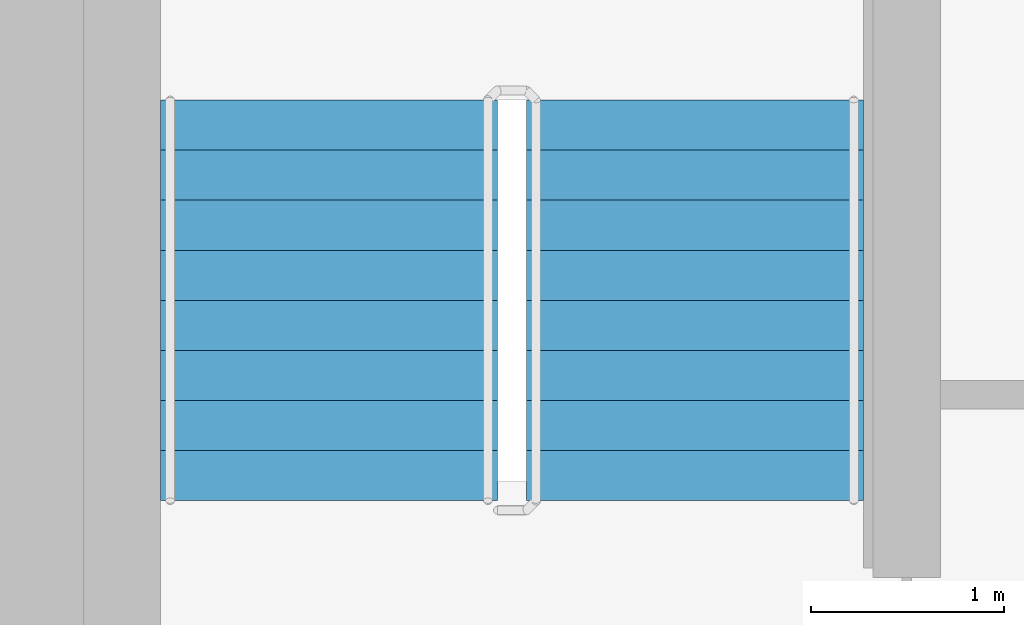
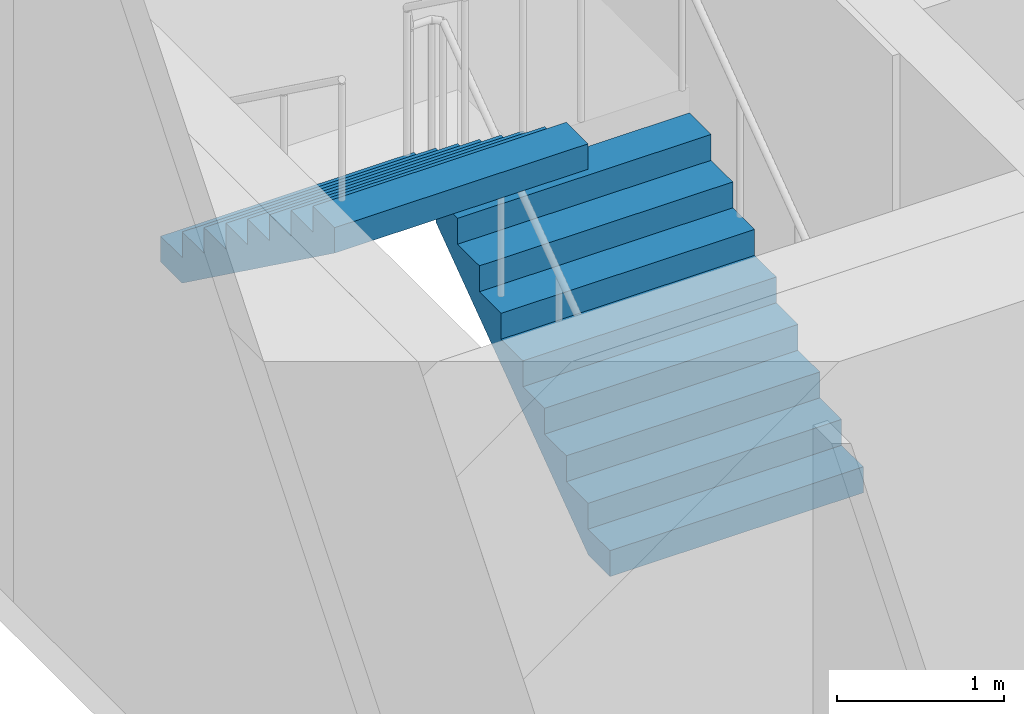
# One storey, part 15 of 18: 2 stair flights, 1 element without a shape of its own.
"""IFC4 building model written with IfcOpenShell, lengths in metres."""

import ifcopenshell
import ifcopenshell.guid

model = None  # the IFC model being written
_history = None  # IfcOwnerHistory: only IFC2X3 demands one
_inside = {}  # id of a spatial element -> (the spatial element, [elements in it])
_under = {}  # id of a project, library or spatial element -> (it, [spatial elements below it])
_declared = {}  # id of a project -> (the project, [libraries it declares])
_typed = {}  # id of a type object -> (the type object, [elements of that type])
_made_of = {}  # id of a material, layer set ... -> (it, [elements and type objects made of it])


def new_model(schema):
    """Start an empty IFC model of exactly this schema.

    Asked for "IFC4X3", IfcOpenShell would pick the latest addendum, in which some entities
    have other attributes; the version numbers below select the first issue.
    IFC2X3 requires an IfcOwnerHistory on every rooted entity: one is made here for all.
    """
    global model, _history
    if schema == "IFC4X3":
        model = ifcopenshell.file(schema_version=(4, 3, 0, 0))
    else:
        model = ifcopenshell.file(schema=schema)
    _inside.clear()
    _under.clear()
    _declared.clear()
    _typed.clear()
    _made_of.clear()
    _history = None
    if model.schema == "IFC2X3":
        org = make("IfcOrganization", Name="unknown")
        user = make(
            "IfcPersonAndOrganization",
            ThePerson=make("IfcPerson", FamilyName="unknown"),
            TheOrganization=org,
        )
        app = make(
            "IfcApplication",
            ApplicationDeveloper=org,
            Version="unknown",
            ApplicationFullName="unknown",
            ApplicationIdentifier="unknown",
        )
        _history = make(
            "IfcOwnerHistory",
            OwningUser=user,
            OwningApplication=app,
            ChangeAction="ADDED",
            CreationDate=0,
        )
    return model


def make(cls, **values):
    """One entity of the class cls with the attributes given. An attribute that is None is left unset."""
    return model.create_entity(
        cls, **{name: value for name, value in values.items() if value is not None}
    )


def rooted(cls, **values):
    """An entity with a GlobalId (a new one), such as an element, a storey or a relation."""
    return make(cls, GlobalId=ifcopenshell.guid.new(), OwnerHistory=_history, **values)


def si_unit(unit_type, name, prefix=None):
    """IfcSIUnit, for example si_unit("LENGTHUNIT", "METRE", prefix="MILLI")."""
    return make("IfcSIUnit", UnitType=unit_type, Prefix=prefix, Name=name)


def assignment(units):
    """IfcUnitAssignment: the units of a project."""
    return None if units is None else make("IfcUnitAssignment", Units=units)


def point(xyz):
    """IfcCartesianPoint."""
    return None if xyz is None else make("IfcCartesianPoint", Coordinates=xyz)


def direction(xyz):
    """IfcDirection."""
    return None if xyz is None else make("IfcDirection", DirectionRatios=xyz)


def frame(location, z_axis=None, x_axis=None):
    """IfcAxis2Placement3D, a coordinate frame: its origin and axes. An axis left out is left unset."""
    return make(
        "IfcAxis2Placement3D",
        Location=point(location),
        Axis=direction(z_axis),
        RefDirection=direction(x_axis),
    )


def origin():
    """The frame at (0, 0, 0) with its axes left unset."""
    return frame((0.0, 0.0, 0.0))


def place(relative_to, where):
    """IfcLocalPlacement: puts the frame where relative to a parent placement (None: the world)."""
    return make(
        "IfcLocalPlacement", PlacementRelTo=relative_to, RelativePlacement=where
    )


def context(
    kind, dimensions, precision=None, world=None, true_north=None, identifier=None
):
    """IfcGeometricRepresentationContext, for example the 3D "Model" context."""
    return make(
        "IfcGeometricRepresentationContext",
        ContextIdentifier=identifier,
        ContextType=kind,
        CoordinateSpaceDimension=dimensions,
        Precision=precision,
        WorldCoordinateSystem=world,
        TrueNorth=true_north,
    )


def subcontext(parent, identifier, kind, view, scale=None):
    """IfcGeometricRepresentationSubContext, for example "Body" below "Model"."""
    return make(
        "IfcGeometricRepresentationSubContext",
        ContextIdentifier=identifier,
        ContextType=kind,
        ParentContext=parent,
        TargetScale=scale,
        TargetView=view,
    )


def project(units=None, contexts=None):
    """IfcProject with its units and contexts."""
    return rooted(
        "IfcProject",
        Name="project",
        RepresentationContexts=contexts,
        UnitsInContext=assignment(units),
    )


def spatial(cls, under=None, at=None, **own):
    """A site, building, storey or space (cls), placed at a placement, below another one or the project."""
    s = rooted(cls, ObjectPlacement=at, **own)
    if under is not None:
        _under.setdefault(under.id(), (under, []))[1].append(s)
    return s


def faces_of(points, faces, orient=None, outer=None):
    """IfcFace entities. A face is a list of loops; a loop is a list of indices into points, from 0.

    orient and outer hold one flag for each loop. By default every Orientation is true, the
    first loop of a face is its IfcFaceOuterBound and the others are IfcFaceBound.
    """
    made = []
    for i, loops in enumerate(faces):
        bounds = []
        for j, loop in enumerate(loops):
            is_outer = j == 0 if outer is None else outer[i][j]
            bounds.append(
                make(
                    "IfcFaceOuterBound" if is_outer else "IfcFaceBound",
                    Bound=make("IfcPolyLoop", Polygon=[points[k] for k in loop]),
                    Orientation=True if orient is None else orient[i][j],
                )
            )
        made.append(make("IfcFace", Bounds=bounds))
    return made


def faceted_brep(points, faces, orient=None, outer=None, voids=None):
    """IfcFacetedBrep: a solid bounded by flat faces; with voids (closed shells), ...WithVoids."""
    shared = [point(p) for p in points]
    hull = make("IfcClosedShell", CfsFaces=faces_of(shared, faces, orient, outer))
    if voids is None:
        return make("IfcFacetedBrep", Outer=hull)
    return make(
        "IfcFacetedBrepWithVoids",
        Outer=hull,
        Voids=[
            make(cls, CfsFaces=faces_of(shared, fs, o, b)) for cls, fs, o, b in voids
        ],
    )


def shape(context_of_items, identifier, shape_type, items):
    """IfcShapeRepresentation: the items that make up one representation, for example the "Body"."""
    return make(
        "IfcShapeRepresentation",
        ContextOfItems=context_of_items,
        RepresentationIdentifier=identifier,
        RepresentationType=shape_type,
        Items=items,
    )


def material(Name=None, Category=None):
    """IfcMaterial."""
    return make("IfcMaterial", Name=Name, Category=Category)


def made_of(thing, what):
    """Note that an element or type object is made of a material, layer set ...; save() writes the relation."""
    if what is not None:
        _made_of.setdefault(what.id(), (what, []))[1].append(thing)
    return thing


def type_object(cls, material=None, **own):
    """A type object (cls), such as IfcWallType, which elements share."""
    return made_of(rooted(cls, **own), material)


def element(
    cls,
    number,
    at=None,
    inside=None,
    cuts=None,
    type_object=None,
    material=None,
    context=None,
    identifier="Body",
    shape_type=None,
    held_by="IfcProductDefinitionShape",
    body=None,
    shapes=None,
    **own,
):
    """One element of the class cls, such as IfcWall. Its Tag is "e" and its number.

    at: its placement. inside: the storey or other place that contains it. cuts: it is an
    opening in that element (IfcRelVoidsElement). A single representation is given by context,
    identifier, shape_type and body (its items); several are given by shapes. held_by: the class
    of the entity that holds the representations. save() writes the other relations.
    """
    e = rooted(cls, Tag="e%d" % number, ObjectPlacement=at, **own)
    if body is not None:
        shapes = [shape(context, identifier, shape_type, body)]
    if shapes is not None:
        e.Representation = make(held_by, Representations=shapes)
    if inside is not None:
        _inside.setdefault(inside.id(), (inside, []))[1].append(e)
    if cuts is not None:
        rooted(
            "IfcRelVoidsElement", RelatingBuildingElement=cuts, RelatedOpeningElement=e
        )
    if type_object is not None:
        _typed.setdefault(type_object.id(), (type_object, []))[1].append(e)
    return made_of(e, material)


def aggregate(whole, parts):
    """IfcRelAggregates: a whole, such as a stair, and the parts it consists of."""
    return rooted("IfcRelAggregates", RelatingObject=whole, RelatedObjects=parts)


def save(model, path):
    """Write the relations noted so far, then the file.

    IfcRelAggregates (storeys below a building ...), IfcRelContainedInSpatialStructure (elements
    in a storey), IfcRelDefinesByType, IfcRelAssociatesMaterial and IfcRelDeclares: one each for
    every whole, place, type object, material and project.
    """
    for whole, parts in _under.values():
        aggregate(whole, parts)
    for where, things in _inside.values():
        rooted(
            "IfcRelContainedInSpatialStructure",
            RelatedElements=things,
            RelatingStructure=where,
        )
    for kind, things in _typed.values():
        rooted("IfcRelDefinesByType", RelatedObjects=things, RelatingType=kind)
    for what, things in _made_of.values():
        rooted("IfcRelAssociatesMaterial", RelatedObjects=things, RelatingMaterial=what)
    for by, libraries in _declared.values():
        rooted("IfcRelDeclares", RelatingContext=by, RelatedDefinitions=libraries)
    model.write(path)


model = new_model("IFC4")

# Units and contexts
model_context = context("Model", 3, precision=1e-05, world=origin(), true_north=direction((0.0, 1.0)))
body_context = subcontext(model_context, "Body", "Model", "MODEL_VIEW")
ifc_project = project(units=[si_unit("LENGTHUNIT", "METRE"), si_unit("AREAUNIT", "SQUARE_METRE"), si_unit("VOLUMEUNIT", "CUBIC_METRE"), si_unit("PLANEANGLEUNIT", "RADIAN"), si_unit("MASSUNIT", "GRAM", prefix="KILO")], contexts=[model_context])

# Site, building, storey
site_placement = place(None, origin())
site = spatial("IfcSite", under=ifc_project, at=site_placement, CompositionType="ELEMENT")
building_placement = place(site_placement, origin())
building = spatial("IfcBuilding", under=site, at=building_placement, Name="Ipe Terrace Towers", CompositionType="ELEMENT")
storey_placement = place(building_placement, frame((0.0, 0.0, 143.89990234375)))
storey = spatial("IfcBuildingStorey", under=building, at=storey_placement, Name="L39", CompositionType="ELEMENT", Elevation=143.89990234375)

# Stair, stair flights
ifc_material_1 = material(Name="Concrete C30/37", Category="concrete")
stair_type = type_object("IfcStairType", Name="Protected exit stair", PredefinedType="HALF_TURN_STAIR", material=ifc_material_1)
stair_placement = place(storey_placement, origin())
stair = element("IfcStair", 1, at=stair_placement, inside=storey, type_object=stair_type, Name="L39 Exit stair T2-C1", PredefinedType="HALF_TURN_STAIR")
ifc_material_2 = material(Name="Concrete C30/37", Category="concrete")
stair_flight_type = type_object("IfcStairFlightType", Name="Exit stair flight 1750", PredefinedType="STRAIGHT", material=ifc_material_2)
stair_flight_1_placement = place(storey_placement, frame((33.22509765625, 9.699951171875, 0.0), z_axis=(0.0, 0.0, 1.0), x_axis=(0.0, 1.0, 0.0)))
stair_flight_1 = element("IfcStairFlight", 2, at=stair_flight_1_placement, type_object=stair_flight_type, Name="T2-ST1 flight 1", NumberOfRisers=9, NumberOfTreads=8, PredefinedType="STRAIGHT", RiserHeight=0.188888889, TreadLength=0.26, context=body_context, shape_type="Brep", body=[
    faceted_brep([(0.255126953125, -0.875, 0.0), (2.080078125, -0.875, 1.325927734375), (2.080078125, -0.875, 1.51123046875), (1.820068359375, -0.875, 1.51123046875), (1.820068359375, -0.875, 1.322265625), (1.56005859375, -0.875, 1.322265625), (1.56005859375, -0.875, 1.13330078125), (1.300048828125, -0.875, 1.13330078125), (1.300048828125, -0.875, 0.9443359375), (1.0400390625, -0.875, 0.9443359375), (1.0400390625, -0.875, 0.755615234375), (0.780029296875, -0.875, 0.755615234375), (0.780029296875, -0.875, 0.566650390625), (0.52001953125, -0.875, 0.566650390625), (0.52001953125, -0.875, 0.377685546875), (0.260009765625, -0.875, 0.377685546875), (0.260009765625, -0.875, 0.18896484375), (0.0, -0.875, 0.18896484375), (0.0, -0.875, 0.0), (0.0, 0.875, 0.0), (0.0, 0.875, 0.18896484375), (0.260009765625, 0.875, 0.18896484375), (0.260009765625, 0.875, 0.377685546875), (0.52001953125, 0.875, 0.377685546875), (0.52001953125, 0.875, 0.566650390625), (0.780029296875, 0.875, 0.566650390625), (0.780029296875, 0.875, 0.755615234375), (1.0400390625, 0.875, 0.755615234375), (1.0400390625, 0.875, 0.9443359375), (1.300048828125, 0.875, 0.9443359375), (1.300048828125, 0.875, 1.13330078125), (1.56005859375, 0.875, 1.13330078125), (1.56005859375, 0.875, 1.322265625), (1.820068359375, 0.875, 1.322265625), (1.820068359375, 0.875, 1.51123046875), (2.080078125, 0.875, 1.51123046875), (2.080078125, 0.875, 1.325927734375), (0.255126953125, 0.875, 0.0), (0.0, -0.300048828125, 0.18896484375), (0.0, -0.1201171875, 0.18896484375), (0.0, -0.06005859375, 0.18896484375), (0.0, -0.030029296875, 0.18896484375), (0.0, -0.010009765625, 0.18896484375), (0.0, 0.0, 0.18896484375), (0.0, 0.010009765625, 0.18896484375), (0.0, 0.030029296875, 0.18896484375), (0.0, 0.06005859375, 0.18896484375), (0.0, 0.1201171875, 0.18896484375), (0.0, 0.300048828125, 0.18896484375), (0.0, 0.300048828125, 0.0), (0.0, 0.1201171875, 0.0), (0.0, 0.06005859375, 0.0), (0.0, 0.030029296875, 0.0), (0.0, 0.010009765625, 0.0), (0.0, 0.0, 0.0), (0.0, -0.010009765625, 0.0), (0.0, -0.030029296875, 0.0), (0.0, -0.06005859375, 0.0), (0.0, -0.1201171875, 0.0), (0.0, -0.300048828125, 0.0), (0.260009765625, -0.300048828125, 0.18896484375), (0.260009765625, -0.1201171875, 0.18896484375), (0.260009765625, -0.06005859375, 0.18896484375), (0.260009765625, -0.030029296875, 0.18896484375), (0.260009765625, -0.010009765625, 0.18896484375), (0.260009765625, 0.0, 0.18896484375), (0.260009765625, 0.010009765625, 0.18896484375), (0.260009765625, 0.030029296875, 0.18896484375), (0.260009765625, 0.06005859375, 0.18896484375), (0.260009765625, 0.1201171875, 0.18896484375), (0.260009765625, 0.300048828125, 0.18896484375), (0.260009765625, -0.300048828125, 0.377685546875), (0.260009765625, -0.1201171875, 0.377685546875), (0.260009765625, -0.06005859375, 0.377685546875), (0.260009765625, -0.030029296875, 0.377685546875), (0.260009765625, -0.010009765625, 0.377685546875), (0.260009765625, 0.0, 0.377685546875), (0.260009765625, 0.010009765625, 0.377685546875), (0.260009765625, 0.030029296875, 0.377685546875), (0.260009765625, 0.06005859375, 0.377685546875), (0.260009765625, 0.1201171875, 0.377685546875), (0.260009765625, 0.300048828125, 0.377685546875), (0.52001953125, -0.300048828125, 0.377685546875), (0.52001953125, -0.1201171875, 0.377685546875), (0.52001953125, -0.06005859375, 0.377685546875), (0.52001953125, -0.030029296875, 0.377685546875), (0.52001953125, -0.010009765625, 0.377685546875), (0.52001953125, 0.0, 0.377685546875), (0.52001953125, 0.010009765625, 0.377685546875), (0.52001953125, 0.030029296875, 0.377685546875), (0.52001953125, 0.06005859375, 0.377685546875), (0.52001953125, 0.1201171875, 0.377685546875), (0.52001953125, 0.300048828125, 0.377685546875), (0.52001953125, -0.300048828125, 0.566650390625), (0.52001953125, -0.1201171875, 0.566650390625), (0.52001953125, -0.06005859375, 0.566650390625), (0.52001953125, -0.030029296875, 0.566650390625), (0.52001953125, -0.010009765625, 0.566650390625), (0.52001953125, 0.0, 0.566650390625), (0.52001953125, 0.010009765625, 0.566650390625), (0.52001953125, 0.030029296875, 0.566650390625), (0.52001953125, 0.06005859375, 0.566650390625), (0.52001953125, 0.1201171875, 0.566650390625), (0.52001953125, 0.300048828125, 0.566650390625), (0.780029296875, -0.300048828125, 0.566650390625), (0.780029296875, -0.1201171875, 0.566650390625), (0.780029296875, -0.06005859375, 0.566650390625), (0.780029296875, -0.030029296875, 0.566650390625), (0.780029296875, -0.010009765625, 0.566650390625), (0.780029296875, 0.0, 0.566650390625), (0.780029296875, 0.010009765625, 0.566650390625), (0.780029296875, 0.030029296875, 0.566650390625), (0.780029296875, 0.06005859375, 0.566650390625), (0.780029296875, 0.1201171875, 0.566650390625), (0.780029296875, 0.300048828125, 0.566650390625), (0.780029296875, -0.300048828125, 0.755615234375), (0.780029296875, -0.1201171875, 0.755615234375), (0.780029296875, -0.06005859375, 0.755615234375), (0.780029296875, -0.030029296875, 0.755615234375), (0.780029296875, -0.010009765625, 0.755615234375), (0.780029296875, 0.0, 0.755615234375), (0.780029296875, 0.010009765625, 0.755615234375), (0.780029296875, 0.030029296875, 0.755615234375), (0.780029296875, 0.06005859375, 0.755615234375), (0.780029296875, 0.1201171875, 0.755615234375), (0.780029296875, 0.300048828125, 0.755615234375), (1.0400390625, -0.300048828125, 0.755615234375), (1.0400390625, -0.1201171875, 0.755615234375), (1.0400390625, -0.06005859375, 0.755615234375), (1.0400390625, -0.030029296875, 0.755615234375), (1.0400390625, -0.010009765625, 0.755615234375), (1.0400390625, 0.0, 0.755615234375), (1.0400390625, 0.010009765625, 0.755615234375), (1.0400390625, 0.030029296875, 0.755615234375), (1.0400390625, 0.06005859375, 0.755615234375), (1.0400390625, 0.1201171875, 0.755615234375), (1.0400390625, 0.300048828125, 0.755615234375), (1.0400390625, -0.300048828125, 0.9443359375), (1.0400390625, -0.1201171875, 0.9443359375), (1.0400390625, -0.06005859375, 0.9443359375), (1.0400390625, -0.030029296875, 0.9443359375), (1.0400390625, -0.010009765625, 0.9443359375), (1.0400390625, 0.0, 0.9443359375), (1.0400390625, 0.010009765625, 0.9443359375), (1.0400390625, 0.030029296875, 0.9443359375), (1.0400390625, 0.06005859375, 0.9443359375), (1.0400390625, 0.1201171875, 0.9443359375), (1.0400390625, 0.300048828125, 0.9443359375), (1.300048828125, -0.300048828125, 0.9443359375), (1.300048828125, -0.1201171875, 0.9443359375), (1.300048828125, -0.06005859375, 0.9443359375), (1.300048828125, -0.030029296875, 0.9443359375), (1.300048828125, -0.010009765625, 0.9443359375), (1.300048828125, 0.0, 0.9443359375), (1.300048828125, 0.010009765625, 0.9443359375), (1.300048828125, 0.030029296875, 0.9443359375), (1.300048828125, 0.06005859375, 0.9443359375), (1.300048828125, 0.1201171875, 0.9443359375), (1.300048828125, 0.300048828125, 0.9443359375), (1.300048828125, -0.300048828125, 1.13330078125), (1.300048828125, -0.1201171875, 1.13330078125), (1.300048828125, -0.06005859375, 1.13330078125), (1.300048828125, -0.030029296875, 1.13330078125), (1.300048828125, -0.010009765625, 1.13330078125), (1.300048828125, 0.0, 1.13330078125), (1.300048828125, 0.010009765625, 1.13330078125), (1.300048828125, 0.030029296875, 1.13330078125), (1.300048828125, 0.06005859375, 1.13330078125), (1.300048828125, 0.1201171875, 1.13330078125), (1.300048828125, 0.300048828125, 1.13330078125), (1.56005859375, -0.300048828125, 1.13330078125), (1.56005859375, -0.1201171875, 1.13330078125), (1.56005859375, -0.06005859375, 1.13330078125), (1.56005859375, -0.030029296875, 1.13330078125), (1.56005859375, -0.010009765625, 1.13330078125), (1.56005859375, 0.0, 1.13330078125), (1.56005859375, 0.010009765625, 1.13330078125), (1.56005859375, 0.030029296875, 1.13330078125), (1.56005859375, 0.06005859375, 1.13330078125), (1.56005859375, 0.1201171875, 1.13330078125), (1.56005859375, 0.300048828125, 1.13330078125), (1.56005859375, -0.300048828125, 1.322265625), (1.56005859375, -0.1201171875, 1.322265625), (1.56005859375, -0.06005859375, 1.322265625), (1.56005859375, -0.030029296875, 1.322265625), (1.56005859375, -0.010009765625, 1.322265625), (1.56005859375, 0.0, 1.322265625), (1.56005859375, 0.010009765625, 1.322265625), (1.56005859375, 0.030029296875, 1.322265625), (1.56005859375, 0.06005859375, 1.322265625), (1.56005859375, 0.1201171875, 1.322265625), (1.56005859375, 0.300048828125, 1.322265625), (1.820068359375, -0.300048828125, 1.322265625), (1.820068359375, -0.1201171875, 1.322265625), (1.820068359375, -0.06005859375, 1.322265625), (1.820068359375, -0.030029296875, 1.322265625), (1.820068359375, -0.010009765625, 1.322265625), (1.820068359375, 0.0, 1.322265625), (1.820068359375, 0.010009765625, 1.322265625), (1.820068359375, 0.030029296875, 1.322265625), (1.820068359375, 0.06005859375, 1.322265625), (1.820068359375, 0.1201171875, 1.322265625), (1.820068359375, 0.300048828125, 1.322265625), (1.820068359375, -0.300048828125, 1.51123046875), (1.820068359375, -0.1201171875, 1.51123046875), (1.820068359375, -0.06005859375, 1.51123046875), (1.820068359375, -0.030029296875, 1.51123046875), (1.820068359375, -0.010009765625, 1.51123046875), (1.820068359375, 0.0, 1.51123046875), (1.820068359375, 0.010009765625, 1.51123046875), (1.820068359375, 0.030029296875, 1.51123046875), (1.820068359375, 0.06005859375, 1.51123046875), (1.820068359375, 0.1201171875, 1.51123046875), (1.820068359375, 0.300048828125, 1.51123046875), (2.080078125, -0.300048828125, 1.51123046875), (2.080078125, -0.1201171875, 1.51123046875), (2.080078125, -0.06005859375, 1.51123046875), (2.080078125, -0.030029296875, 1.51123046875), (2.080078125, -0.010009765625, 1.51123046875), (2.080078125, 0.0, 1.51123046875), (2.080078125, 0.010009765625, 1.51123046875), (2.080078125, 0.030029296875, 1.51123046875), (2.080078125, 0.06005859375, 1.51123046875), (2.080078125, 0.1201171875, 1.51123046875), (2.080078125, 0.300048828125, 1.51123046875), (2.080078125, -0.300048828125, 1.325927734375), (2.080078125, -0.1201171875, 1.325927734375), (2.080078125, -0.06005859375, 1.325927734375), (2.080078125, -0.030029296875, 1.325927734375), (2.080078125, -0.010009765625, 1.325927734375), (2.080078125, 0.0, 1.325927734375), (2.080078125, 0.010009765625, 1.325927734375), (2.080078125, 0.030029296875, 1.325927734375), (2.080078125, 0.06005859375, 1.325927734375), (2.080078125, 0.1201171875, 1.325927734375), (2.080078125, 0.300048828125, 1.325927734375), (0.255126953125, -0.300048828125, 0.0), (0.255126953125, -0.1201171875, 0.0), (0.255126953125, -0.06005859375, 0.0), (0.255126953125, -0.030029296875, 0.0), (0.255126953125, -0.010009765625, 0.0), (0.255126953125, 0.0, 0.0), (0.255126953125, 0.010009765625, 0.0), (0.255126953125, 0.030029296875, 0.0), (0.255126953125, 0.06005859375, 0.0), (0.255126953125, 0.1201171875, 0.0), (0.255126953125, 0.300048828125, 0.0)], [[[0, 1, 2, 3, 4, 5, 6, 7, 8, 9, 10, 11, 12, 13, 14, 15, 16, 17, 18]], [[19, 20, 21, 22, 23, 24, 25, 26, 27, 28, 29, 30, 31, 32, 33, 34, 35, 36, 37]], [[17, 38, 39, 40, 41, 42, 43, 44, 45, 46, 47, 48, 20, 19, 49, 50, 51, 52, 53, 54, 55, 56, 57, 58, 59, 18]], [[16, 60, 61, 62, 63, 64, 65, 66, 67, 68, 69, 70, 21, 20, 48, 47, 46, 45, 44, 43, 42, 41, 40, 39, 38, 17]], [[15, 71, 72, 73, 74, 75, 76, 77, 78, 79, 80, 81, 22, 21, 70, 69, 68, 67, 66, 65, 64, 63, 62, 61, 60, 16]], [[14, 82, 83, 84, 85, 86, 87, 88, 89, 90, 91, 92, 23, 22, 81, 80, 79, 78, 77, 76, 75, 74, 73, 72, 71, 15]], [[13, 93, 94, 95, 96, 97, 98, 99, 100, 101, 102, 103, 24, 23, 92, 91, 90, 89, 88, 87, 86, 85, 84, 83, 82, 14]], [[12, 104, 105, 106, 107, 108, 109, 110, 111, 112, 113, 114, 25, 24, 103, 102, 101, 100, 99, 98, 97, 96, 95, 94, 93, 13]], [[11, 115, 116, 117, 118, 119, 120, 121, 122, 123, 124, 125, 26, 25, 114, 113, 112, 111, 110, 109, 108, 107, 106, 105, 104, 12]], [[10, 126, 127, 128, 129, 130, 131, 132, 133, 134, 135, 136, 27, 26, 125, 124, 123, 122, 121, 120, 119, 118, 117, 116, 115, 11]], [[9, 137, 138, 139, 140, 141, 142, 143, 144, 145, 146, 147, 28, 27, 136, 135, 134, 133, 132, 131, 130, 129, 128, 127, 126, 10]], [[8, 148, 149, 150, 151, 152, 153, 154, 155, 156, 157, 158, 29, 28, 147, 146, 145, 144, 143, 142, 141, 140, 139, 138, 137, 9]], [[7, 159, 160, 161, 162, 163, 164, 165, 166, 167, 168, 169, 30, 29, 158, 157, 156, 155, 154, 153, 152, 151, 150, 149, 148, 8]], [[6, 170, 171, 172, 173, 174, 175, 176, 177, 178, 179, 180, 31, 30, 169, 168, 167, 166, 165, 164, 163, 162, 161, 160, 159, 7]], [[5, 181, 182, 183, 184, 185, 186, 187, 188, 189, 190, 191, 32, 31, 180, 179, 178, 177, 176, 175, 174, 173, 172, 171, 170, 6]], [[4, 192, 193, 194, 195, 196, 197, 198, 199, 200, 201, 202, 33, 32, 191, 190, 189, 188, 187, 186, 185, 184, 183, 182, 181, 5]], [[3, 203, 204, 205, 206, 207, 208, 209, 210, 211, 212, 213, 34, 33, 202, 201, 200, 199, 198, 197, 196, 195, 194, 193, 192, 4]], [[2, 214, 215, 216, 217, 218, 219, 220, 221, 222, 223, 224, 35, 34, 213, 212, 211, 210, 209, 208, 207, 206, 205, 204, 203, 3]], [[1, 225, 226, 227, 228, 229, 230, 231, 232, 233, 234, 235, 36, 35, 224, 223, 222, 221, 220, 219, 218, 217, 216, 215, 214, 2]], [[0, 236, 237, 238, 239, 240, 241, 242, 243, 244, 245, 246, 37, 36, 235, 234, 233, 232, 231, 230, 229, 228, 227, 226, 225, 1]], [[18, 59, 58, 57, 56, 55, 54, 53, 52, 51, 50, 49, 19, 37, 246, 245, 244, 243, 242, 241, 240, 239, 238, 237, 236, 0]]]),
])
stair_flight_2_placement = place(storey_placement, frame((31.324951171875, 11.780029296875, 1.7001953125), z_axis=(0.0, 0.0, 1.0), x_axis=(0.0, -1.0, 0.0)))
stair_flight_2 = element("IfcStairFlight", 3, at=stair_flight_2_placement, type_object=stair_flight_type, Name="T2-ST1 flight 2", NumberOfRisers=9, NumberOfTreads=8, PredefinedType="STRAIGHT", RiserHeight=0.188888889, TreadLength=0.26, context=body_context, shape_type="Brep", body=[
    faceted_brep([(0.255126953125, -0.875, 0.0), (2.080078125, -0.875, 1.325927734375), (2.080078125, -0.875, 1.51123046875), (1.820068359375, -0.875, 1.51123046875), (1.820068359375, -0.875, 1.322265625), (1.56005859375, -0.875, 1.322265625), (1.56005859375, -0.875, 1.13330078125), (1.300048828125, -0.875, 1.13330078125), (1.300048828125, -0.875, 0.9443359375), (1.0400390625, -0.875, 0.9443359375), (1.0400390625, -0.875, 0.755615234375), (0.780029296875, -0.875, 0.755615234375), (0.780029296875, -0.875, 0.566650390625), (0.52001953125, -0.875, 0.566650390625), (0.52001953125, -0.875, 0.377685546875), (0.260009765625, -0.875, 0.377685546875), (0.260009765625, -0.875, 0.18896484375), (0.0, -0.875, 0.18896484375), (0.0, -0.875, 0.0), (0.0, 0.875, 0.0), (0.0, 0.875, 0.18896484375), (0.260009765625, 0.875, 0.18896484375), (0.260009765625, 0.875, 0.377685546875), (0.52001953125, 0.875, 0.377685546875), (0.52001953125, 0.875, 0.566650390625), (0.780029296875, 0.875, 0.566650390625), (0.780029296875, 0.875, 0.755615234375), (1.0400390625, 0.875, 0.755615234375), (1.0400390625, 0.875, 0.9443359375), (1.300048828125, 0.875, 0.9443359375), (1.300048828125, 0.875, 1.13330078125), (1.56005859375, 0.875, 1.13330078125), (1.56005859375, 0.875, 1.322265625), (1.820068359375, 0.875, 1.322265625), (1.820068359375, 0.875, 1.51123046875), (2.080078125, 0.875, 1.51123046875), (2.080078125, 0.875, 1.325927734375), (0.255126953125, 0.875, 0.0), (0.0, -0.300048828125, 0.18896484375), (0.0, -0.1201171875, 0.18896484375), (0.0, -0.06005859375, 0.18896484375), (0.0, -0.030029296875, 0.18896484375), (0.0, -0.010009765625, 0.18896484375), (0.0, 0.0, 0.18896484375), (0.0, 0.010009765625, 0.18896484375), (0.0, 0.030029296875, 0.18896484375), (0.0, 0.06005859375, 0.18896484375), (0.0, 0.1201171875, 0.18896484375), (0.0, 0.300048828125, 0.18896484375), (0.0, 0.300048828125, 0.0), (0.0, 0.1201171875, 0.0), (0.0, 0.06005859375, 0.0), (0.0, 0.030029296875, 0.0), (0.0, 0.010009765625, 0.0), (0.0, 0.0, 0.0), (0.0, -0.010009765625, 0.0), (0.0, -0.030029296875, 0.0), (0.0, -0.06005859375, 0.0), (0.0, -0.1201171875, 0.0), (0.0, -0.300048828125, 0.0), (0.260009765625, -0.300048828125, 0.18896484375), (0.260009765625, -0.1201171875, 0.18896484375), (0.260009765625, -0.06005859375, 0.18896484375), (0.260009765625, -0.030029296875, 0.18896484375), (0.260009765625, -0.010009765625, 0.18896484375), (0.260009765625, 0.0, 0.18896484375), (0.260009765625, 0.010009765625, 0.18896484375), (0.260009765625, 0.030029296875, 0.18896484375), (0.260009765625, 0.06005859375, 0.18896484375), (0.260009765625, 0.1201171875, 0.18896484375), (0.260009765625, 0.300048828125, 0.18896484375), (0.260009765625, -0.300048828125, 0.377685546875), (0.260009765625, -0.1201171875, 0.377685546875), (0.260009765625, -0.06005859375, 0.377685546875), (0.260009765625, -0.030029296875, 0.377685546875), (0.260009765625, -0.010009765625, 0.377685546875), (0.260009765625, 0.0, 0.377685546875), (0.260009765625, 0.010009765625, 0.377685546875), (0.260009765625, 0.030029296875, 0.377685546875), (0.260009765625, 0.06005859375, 0.377685546875), (0.260009765625, 0.1201171875, 0.377685546875), (0.260009765625, 0.300048828125, 0.377685546875), (0.52001953125, -0.300048828125, 0.377685546875), (0.52001953125, -0.1201171875, 0.377685546875), (0.52001953125, -0.06005859375, 0.377685546875), (0.52001953125, -0.030029296875, 0.377685546875), (0.52001953125, -0.010009765625, 0.377685546875), (0.52001953125, 0.0, 0.377685546875), (0.52001953125, 0.010009765625, 0.377685546875), (0.52001953125, 0.030029296875, 0.377685546875), (0.52001953125, 0.06005859375, 0.377685546875), (0.52001953125, 0.1201171875, 0.377685546875), (0.52001953125, 0.300048828125, 0.377685546875), (0.52001953125, -0.300048828125, 0.566650390625), (0.52001953125, -0.1201171875, 0.566650390625), (0.52001953125, -0.06005859375, 0.566650390625), (0.52001953125, -0.030029296875, 0.566650390625), (0.52001953125, -0.010009765625, 0.566650390625), (0.52001953125, 0.0, 0.566650390625), (0.52001953125, 0.010009765625, 0.566650390625), (0.52001953125, 0.030029296875, 0.566650390625), (0.52001953125, 0.06005859375, 0.566650390625), (0.52001953125, 0.1201171875, 0.566650390625), (0.52001953125, 0.300048828125, 0.566650390625), (0.780029296875, -0.300048828125, 0.566650390625), (0.780029296875, -0.1201171875, 0.566650390625), (0.780029296875, -0.06005859375, 0.566650390625), (0.780029296875, -0.030029296875, 0.566650390625), (0.780029296875, -0.010009765625, 0.566650390625), (0.780029296875, 0.0, 0.566650390625), (0.780029296875, 0.010009765625, 0.566650390625), (0.780029296875, 0.030029296875, 0.566650390625), (0.780029296875, 0.06005859375, 0.566650390625), (0.780029296875, 0.1201171875, 0.566650390625), (0.780029296875, 0.300048828125, 0.566650390625), (0.780029296875, -0.300048828125, 0.755615234375), (0.780029296875, -0.1201171875, 0.755615234375), (0.780029296875, -0.06005859375, 0.755615234375), (0.780029296875, -0.030029296875, 0.755615234375), (0.780029296875, -0.010009765625, 0.755615234375), (0.780029296875, 0.0, 0.755615234375), (0.780029296875, 0.010009765625, 0.755615234375), (0.780029296875, 0.030029296875, 0.755615234375), (0.780029296875, 0.06005859375, 0.755615234375), (0.780029296875, 0.1201171875, 0.755615234375), (0.780029296875, 0.300048828125, 0.755615234375), (1.0400390625, -0.300048828125, 0.755615234375), (1.0400390625, -0.1201171875, 0.755615234375), (1.0400390625, -0.06005859375, 0.755615234375), (1.0400390625, -0.030029296875, 0.755615234375), (1.0400390625, -0.010009765625, 0.755615234375), (1.0400390625, 0.0, 0.755615234375), (1.0400390625, 0.010009765625, 0.755615234375), (1.0400390625, 0.030029296875, 0.755615234375), (1.0400390625, 0.06005859375, 0.755615234375), (1.0400390625, 0.1201171875, 0.755615234375), (1.0400390625, 0.300048828125, 0.755615234375), (1.0400390625, -0.300048828125, 0.9443359375), (1.0400390625, -0.1201171875, 0.9443359375), (1.0400390625, -0.06005859375, 0.9443359375), (1.0400390625, -0.030029296875, 0.9443359375), (1.0400390625, -0.010009765625, 0.9443359375), (1.0400390625, 0.0, 0.9443359375), (1.0400390625, 0.010009765625, 0.9443359375), (1.0400390625, 0.030029296875, 0.9443359375), (1.0400390625, 0.06005859375, 0.9443359375), (1.0400390625, 0.1201171875, 0.9443359375), (1.0400390625, 0.300048828125, 0.9443359375), (1.300048828125, -0.300048828125, 0.9443359375), (1.300048828125, -0.1201171875, 0.9443359375), (1.300048828125, -0.06005859375, 0.9443359375), (1.300048828125, -0.030029296875, 0.9443359375), (1.300048828125, -0.010009765625, 0.9443359375), (1.300048828125, 0.0, 0.9443359375), (1.300048828125, 0.010009765625, 0.9443359375), (1.300048828125, 0.030029296875, 0.9443359375), (1.300048828125, 0.06005859375, 0.9443359375), (1.300048828125, 0.1201171875, 0.9443359375), (1.300048828125, 0.300048828125, 0.9443359375), (1.300048828125, -0.300048828125, 1.13330078125), (1.300048828125, -0.1201171875, 1.13330078125), (1.300048828125, -0.06005859375, 1.13330078125), (1.300048828125, -0.030029296875, 1.13330078125), (1.300048828125, -0.010009765625, 1.13330078125), (1.300048828125, 0.0, 1.13330078125), (1.300048828125, 0.010009765625, 1.13330078125), (1.300048828125, 0.030029296875, 1.13330078125), (1.300048828125, 0.06005859375, 1.13330078125), (1.300048828125, 0.1201171875, 1.13330078125), (1.300048828125, 0.300048828125, 1.13330078125), (1.56005859375, -0.300048828125, 1.13330078125), (1.56005859375, -0.1201171875, 1.13330078125), (1.56005859375, -0.06005859375, 1.13330078125), (1.56005859375, -0.030029296875, 1.13330078125), (1.56005859375, -0.010009765625, 1.13330078125), (1.56005859375, 0.0, 1.13330078125), (1.56005859375, 0.010009765625, 1.13330078125), (1.56005859375, 0.030029296875, 1.13330078125), (1.56005859375, 0.06005859375, 1.13330078125), (1.56005859375, 0.1201171875, 1.13330078125), (1.56005859375, 0.300048828125, 1.13330078125), (1.56005859375, -0.300048828125, 1.322265625), (1.56005859375, -0.1201171875, 1.322265625), (1.56005859375, -0.06005859375, 1.322265625), (1.56005859375, -0.030029296875, 1.322265625), (1.56005859375, -0.010009765625, 1.322265625), (1.56005859375, 0.0, 1.322265625), (1.56005859375, 0.010009765625, 1.322265625), (1.56005859375, 0.030029296875, 1.322265625), (1.56005859375, 0.06005859375, 1.322265625), (1.56005859375, 0.1201171875, 1.322265625), (1.56005859375, 0.300048828125, 1.322265625), (1.820068359375, -0.300048828125, 1.322265625), (1.820068359375, -0.1201171875, 1.322265625), (1.820068359375, -0.06005859375, 1.322265625), (1.820068359375, -0.030029296875, 1.322265625), (1.820068359375, -0.010009765625, 1.322265625), (1.820068359375, 0.0, 1.322265625), (1.820068359375, 0.010009765625, 1.322265625), (1.820068359375, 0.030029296875, 1.322265625), (1.820068359375, 0.06005859375, 1.322265625), (1.820068359375, 0.1201171875, 1.322265625), (1.820068359375, 0.300048828125, 1.322265625), (1.820068359375, -0.300048828125, 1.51123046875), (1.820068359375, -0.1201171875, 1.51123046875), (1.820068359375, -0.06005859375, 1.51123046875), (1.820068359375, -0.030029296875, 1.51123046875), (1.820068359375, -0.010009765625, 1.51123046875), (1.820068359375, 0.0, 1.51123046875), (1.820068359375, 0.010009765625, 1.51123046875), (1.820068359375, 0.030029296875, 1.51123046875), (1.820068359375, 0.06005859375, 1.51123046875), (1.820068359375, 0.1201171875, 1.51123046875), (1.820068359375, 0.300048828125, 1.51123046875), (2.080078125, -0.300048828125, 1.51123046875), (2.080078125, -0.1201171875, 1.51123046875), (2.080078125, -0.06005859375, 1.51123046875), (2.080078125, -0.030029296875, 1.51123046875), (2.080078125, -0.010009765625, 1.51123046875), (2.080078125, 0.0, 1.51123046875), (2.080078125, 0.010009765625, 1.51123046875), (2.080078125, 0.030029296875, 1.51123046875), (2.080078125, 0.06005859375, 1.51123046875), (2.080078125, 0.1201171875, 1.51123046875), (2.080078125, 0.300048828125, 1.51123046875), (2.080078125, -0.300048828125, 1.325927734375), (2.080078125, -0.1201171875, 1.325927734375), (2.080078125, -0.06005859375, 1.325927734375), (2.080078125, -0.030029296875, 1.325927734375), (2.080078125, -0.010009765625, 1.325927734375), (2.080078125, 0.0, 1.325927734375), (2.080078125, 0.010009765625, 1.325927734375), (2.080078125, 0.030029296875, 1.325927734375), (2.080078125, 0.06005859375, 1.325927734375), (2.080078125, 0.1201171875, 1.325927734375), (2.080078125, 0.300048828125, 1.325927734375), (0.255126953125, -0.300048828125, 0.0), (0.255126953125, -0.1201171875, 0.0), (0.255126953125, -0.06005859375, 0.0), (0.255126953125, -0.030029296875, 0.0), (0.255126953125, -0.010009765625, 0.0), (0.255126953125, 0.0, 0.0), (0.255126953125, 0.010009765625, 0.0), (0.255126953125, 0.030029296875, 0.0), (0.255126953125, 0.06005859375, 0.0), (0.255126953125, 0.1201171875, 0.0), (0.255126953125, 0.300048828125, 0.0)], [[[0, 1, 2, 3, 4, 5, 6, 7, 8, 9, 10, 11, 12, 13, 14, 15, 16, 17, 18]], [[19, 20, 21, 22, 23, 24, 25, 26, 27, 28, 29, 30, 31, 32, 33, 34, 35, 36, 37]], [[17, 38, 39, 40, 41, 42, 43, 44, 45, 46, 47, 48, 20, 19, 49, 50, 51, 52, 53, 54, 55, 56, 57, 58, 59, 18]], [[16, 60, 61, 62, 63, 64, 65, 66, 67, 68, 69, 70, 21, 20, 48, 47, 46, 45, 44, 43, 42, 41, 40, 39, 38, 17]], [[15, 71, 72, 73, 74, 75, 76, 77, 78, 79, 80, 81, 22, 21, 70, 69, 68, 67, 66, 65, 64, 63, 62, 61, 60, 16]], [[14, 82, 83, 84, 85, 86, 87, 88, 89, 90, 91, 92, 23, 22, 81, 80, 79, 78, 77, 76, 75, 74, 73, 72, 71, 15]], [[13, 93, 94, 95, 96, 97, 98, 99, 100, 101, 102, 103, 24, 23, 92, 91, 90, 89, 88, 87, 86, 85, 84, 83, 82, 14]], [[12, 104, 105, 106, 107, 108, 109, 110, 111, 112, 113, 114, 25, 24, 103, 102, 101, 100, 99, 98, 97, 96, 95, 94, 93, 13]], [[11, 115, 116, 117, 118, 119, 120, 121, 122, 123, 124, 125, 26, 25, 114, 113, 112, 111, 110, 109, 108, 107, 106, 105, 104, 12]], [[10, 126, 127, 128, 129, 130, 131, 132, 133, 134, 135, 136, 27, 26, 125, 124, 123, 122, 121, 120, 119, 118, 117, 116, 115, 11]], [[9, 137, 138, 139, 140, 141, 142, 143, 144, 145, 146, 147, 28, 27, 136, 135, 134, 133, 132, 131, 130, 129, 128, 127, 126, 10]], [[8, 148, 149, 150, 151, 152, 153, 154, 155, 156, 157, 158, 29, 28, 147, 146, 145, 144, 143, 142, 141, 140, 139, 138, 137, 9]], [[7, 159, 160, 161, 162, 163, 164, 165, 166, 167, 168, 169, 30, 29, 158, 157, 156, 155, 154, 153, 152, 151, 150, 149, 148, 8]], [[6, 170, 171, 172, 173, 174, 175, 176, 177, 178, 179, 180, 31, 30, 169, 168, 167, 166, 165, 164, 163, 162, 161, 160, 159, 7]], [[5, 181, 182, 183, 184, 185, 186, 187, 188, 189, 190, 191, 32, 31, 180, 179, 178, 177, 176, 175, 174, 173, 172, 171, 170, 6]], [[4, 192, 193, 194, 195, 196, 197, 198, 199, 200, 201, 202, 33, 32, 191, 190, 189, 188, 187, 186, 185, 184, 183, 182, 181, 5]], [[3, 203, 204, 205, 206, 207, 208, 209, 210, 211, 212, 213, 34, 33, 202, 201, 200, 199, 198, 197, 196, 195, 194, 193, 192, 4]], [[2, 214, 215, 216, 217, 218, 219, 220, 221, 222, 223, 224, 35, 34, 213, 212, 211, 210, 209, 208, 207, 206, 205, 204, 203, 3]], [[1, 225, 226, 227, 228, 229, 230, 231, 232, 233, 234, 235, 36, 35, 224, 223, 222, 221, 220, 219, 218, 217, 216, 215, 214, 2]], [[0, 236, 237, 238, 239, 240, 241, 242, 243, 244, 245, 246, 37, 36, 235, 234, 233, 232, 231, 230, 229, 228, 227, 226, 225, 1]], [[18, 59, 58, 57, 56, 55, 54, 53, 52, 51, 50, 49, 19, 37, 246, 245, 244, 243, 242, 241, 240, 239, 238, 237, 236, 0]]]),
])
aggregate(stair, [stair_flight_1, stair_flight_2])

save(model, "model.ifc")
